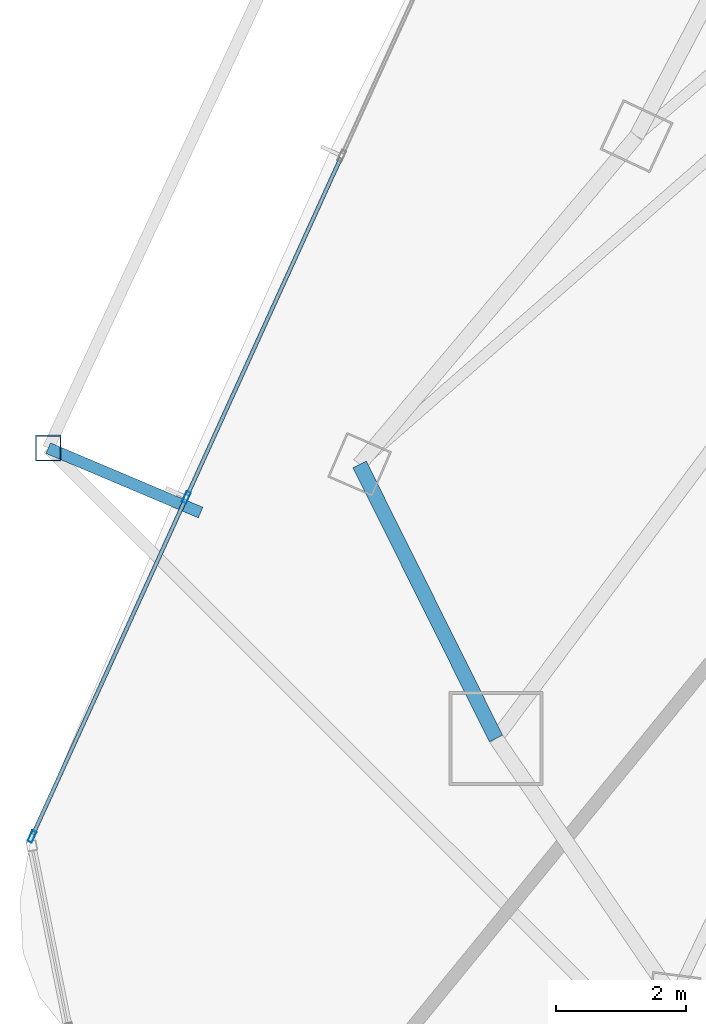
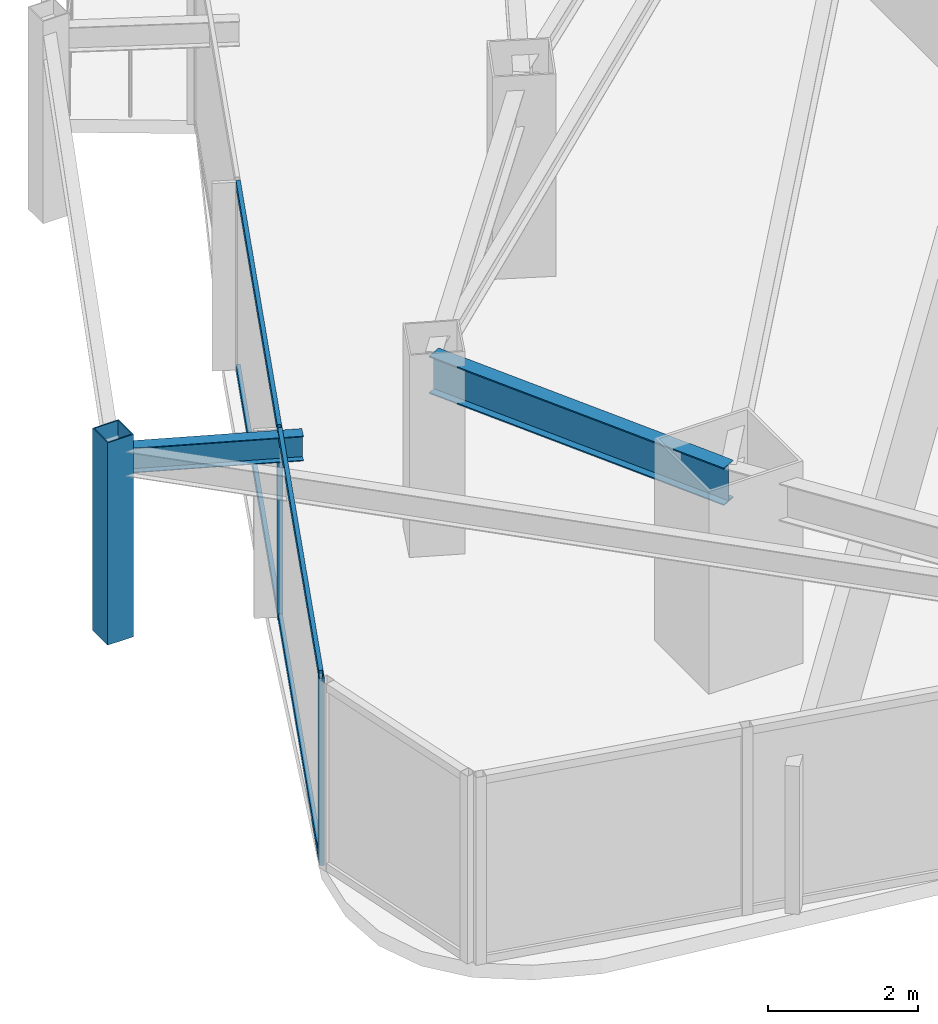
# One storey, part 5 of 33: 7 members, 2 beams, 1 element without a shape of its own.
"""IFC4 building model written with IfcOpenShell, lengths in metres."""

from ifc_helpers import new_model, si_unit, direction, frame, origin, origin_2d, place, context, subcontext, project, spatial, hollow_rectangle, i_section, extrude, material, layer, layer_set, material_profile, profile_set, type_object, element, aggregate, save


model = new_model("IFC4")

# Units and contexts
model_context = context("Model", 3, precision=1e-05, world=origin(), true_north=direction((0.0, 1.0)))
body_context = subcontext(model_context, "Body", "Model", "MODEL_VIEW")
ifc_project = project(units=[si_unit("LENGTHUNIT", "METRE"), si_unit("AREAUNIT", "SQUARE_METRE"), si_unit("VOLUMEUNIT", "CUBIC_METRE"), si_unit("PLANEANGLEUNIT", "RADIAN"), si_unit("MASSUNIT", "GRAM", prefix="KILO")], contexts=[model_context])

# Site, building, storey
site_placement = place(None, origin())
site = spatial("IfcSite", under=ifc_project, at=site_placement, CompositionType="ELEMENT")
building_placement = place(site_placement, origin())
building = spatial("IfcBuilding", under=site, at=building_placement, Name="Orvanel Arch Residences", CompositionType="ELEMENT")
storey_placement = place(building_placement, frame((0.0, 0.0, 116.60009765625)))
storey = spatial("IfcBuildingStorey", under=building, at=storey_placement, Name="L32", CompositionType="ELEMENT", Elevation=116.60009765625)

# Curtain wall, members
ifc_material_1 = material(Name="Bronze-anodised aluminium AA6063-T6", Category="aluminium")
ifc_layer = layer(ifc_material_1, 0.179931640625)
ifc_layer_set = layer_set([ifc_layer], Name="Bronze-anodised aluminium AA6063-T6")
curtain_wall_type = type_object("IfcCurtainWallType", Name="CW3-MID-SYS", PredefinedType="NOTDEFINED", material=ifc_layer_set)
curtain_wall_placement = place(storey_placement, origin())
curtain_wall = element("IfcCurtainWall", 1, at=curtain_wall_placement, inside=storey, type_object=curtain_wall_type, Name="L32 CW3-MID-SYS Unitised Curtain Wall", PredefinedType="NOTDEFINED")
ifc_material_profile_1 = material_profile(ifc_material_1, hollow_rectangle(XDim=0.070068359375, YDim=0.179931640625, WallThickness=0.00439453125, at=origin_2d()), Name="ALU180x70x4.5")
ifc_profile_set_1 = profile_set([ifc_material_profile_1], Name="Bronze-anodised aluminium AA6063-T6")
member_type_1 = type_object("IfcMemberType", Name="MUL-180x70", PredefinedType="MULLION", material=ifc_profile_set_1)
member_1_placement = place(storey_placement, frame((9.423583984375, 14.07275390625, 0.0), z_axis=(0.0, 0.0, 1.0), x_axis=(0.9102243469, -0.414115489097, 0.0)))
member_1 = element("IfcMember", 2, at=member_1_placement, type_object=member_type_1, Name="CW-S3 mullion 3", PredefinedType="MULLION", context=body_context, shape_type="SweptSolid", body=[
    extrude(hollow_rectangle(XDim=0.070068359375, YDim=0.179931640625, WallThickness=0.00439453125, at=origin_2d()), origin(), (0.0, 0.0, 1.0), 3.059814453125),
])
member_2_placement = place(storey_placement, frame((7.04248046875, 8.8388671875, 0.0), z_axis=(0.0, 0.0, 1.0), x_axis=(0.9102243469, -0.414115489097, 0.0)))
member_2 = element("IfcMember", 3, at=member_2_placement, type_object=member_type_1, Name="CW-S3 mullion 4", PredefinedType="MULLION", context=body_context, shape_type="SweptSolid", body=[
    extrude(hollow_rectangle(XDim=0.070068359375, YDim=0.179931640625, WallThickness=0.00439453125, at=origin_2d()), origin(), (0.0, 0.0, 1.0), 3.059814453125),
])

# Beams
ifc_material_2 = material(Name="Structural steel AS/NZS 3679.1 Grade 300 (300 MPa)", Category="steel")
ifc_material_profile_2 = material_profile(ifc_material_2, i_section(OverallWidth=0.177978515625, OverallDepth=0.406005859375, WebThickness=0.0078125, FlangeThickness=0.0126953125, at=origin_2d()), Name="410UB59.7")
ifc_profile_set_2 = profile_set([ifc_material_profile_2], Name="Structural steel AS/NZS 3679.1 Grade 300 (300 MPa)")
beam_type_1 = type_object("IfcBeamType", Name="OB-410UB-EXT", PredefinedType="SPANDREL", material=ifc_profile_set_2)
beam_1_placement = place(storey_placement, frame((9.64208984375, 13.8369140625, 2.85693359375), z_axis=(-0.921064988788, 0.389408893618, 0.0), x_axis=(-0.389408893618, -0.921064988788, 0.0)))
element("IfcBeam", 4, at=beam_1_placement, inside=storey, type_object=beam_type_1, Name="L32 Outer Frame Radial Tie Beam 04", PredefinedType="SPANDREL", context=body_context, shape_type="SweptSolid", body=[
    extrude(i_section(OverallWidth=0.177978515625, OverallDepth=0.406005859375, WebThickness=0.0078125, FlangeThickness=0.0126953125, at=origin_2d()), origin(), (0.0, 0.0, 1.0), 2.550537109375),
])
ifc_material_profile_3 = material_profile(ifc_material_2, i_section(OverallWidth=0.22900390625, OverallDepth=0.612060546875, WebThickness=0.011962890625, FlangeThickness=0.01953125, at=origin_2d()), Name="610UB125")
ifc_profile_set_3 = profile_set([ifc_material_profile_3], Name="Structural steel AS/NZS 3679.1 Grade 300 (300 MPa)")
beam_type_2 = type_object("IfcBeamType", Name="SP-610UB", PredefinedType="SPANDREL", material=ifc_profile_set_3)
beam_2_placement = place(storey_placement, frame((12.094970703125, 14.580078125, 2.75390625), z_axis=(0.44543469453, -0.895314432425, 0.0), x_axis=(0.895314432425, 0.44543469453, 0.0)))
element("IfcBeam", 5, at=beam_2_placement, inside=storey, type_object=beam_type_2, Name="L32 Perimeter Spandrel Beam 02", PredefinedType="SPANDREL", context=body_context, shape_type="SweptSolid", body=[
    extrude(i_section(OverallWidth=0.22900390625, OverallDepth=0.612060546875, WebThickness=0.011962890625, FlangeThickness=0.01953125, at=origin_2d()), origin(), (0.0, 0.0, 1.0), 4.723388671875),
])

# Member
ifc_material_3 = material(Name="Structural steel AS/NZS 1163 C450L0 (Grade 450)", Category="steel")
ifc_material_profile_4 = material_profile(ifc_material_3, hollow_rectangle(XDim=0.39990234375, YDim=0.39990234375, WallThickness=0.01611328125, at=origin_2d()), Name="SHS400x400x16")
ifc_profile_set_4 = profile_set([ifc_material_profile_4], Name="Structural steel AS/NZS 1163 C450L0 (Grade 450)")
member_type_2 = type_object("IfcMemberType", Name="ST-400SHS-EXT", PredefinedType="STRUT", material=ifc_profile_set_4)
member_3_placement = place(storey_placement, frame((7.29296875, 14.830078125, 0.0), z_axis=(0.0, 0.0, 1.0), x_axis=(1.0, 0.0, 0.0)))
element("IfcMember", 6, at=member_3_placement, inside=storey, type_object=member_type_2, Name="L32 Outer Perimeter Frame Post 04", PredefinedType="STRUT", context=body_context, shape_type="SweptSolid", body=[
    extrude(hollow_rectangle(XDim=0.39990234375, YDim=0.39990234375, WallThickness=0.01611328125, at=origin_2d()), origin(), (0.0, 0.0, 1.0), 3.2998046875),
])

ifc_material_profile_5 = material_profile(ifc_material_1, hollow_rectangle(XDim=0.06005859375, YDim=0.135009765625, WallThickness=0.00390625, at=origin_2d()), Name="ALU135x60x4")
ifc_profile_set_5 = profile_set([ifc_material_profile_5], Name="Bronze-anodised aluminium AA6063-T6")
member_type_3 = type_object("IfcMemberType", Name="TRN-135x60", PredefinedType="USERDEFINED", material=ifc_profile_set_5)
member_4_placement = place(storey_placement, frame((11.804931640625, 19.306396484375, 0.02978515625), z_axis=(-0.414121558628, -0.910221585483, 0.0), x_axis=(0.910221585483, -0.414121558628, 0.0)))
member_4 = element("IfcMember", 7, at=member_4_placement, type_object=member_type_3, Name="CW-S3 transom 2.1", ObjectType="TRANSOM", PredefinedType="USERDEFINED", context=body_context, shape_type="SweptSolid", body=[
    extrude(hollow_rectangle(XDim=0.06005859375, YDim=0.135009765625, WallThickness=0.00390625, at=origin_2d()), origin(), (0.0, 0.0, 1.0), 5.715087890625),
])

member_5_placement = place(storey_placement, frame((11.804931640625, 19.306396484375, 3.02978515625), z_axis=(-0.414121558628, -0.910221585483, 0.0), x_axis=(0.910221585483, -0.414121558628, 0.0)))
member_5 = element("IfcMember", 8, at=member_5_placement, type_object=member_type_3, Name="CW-S3 transom 2.2", ObjectType="TRANSOM", PredefinedType="USERDEFINED", context=body_context, shape_type="SweptSolid", body=[
    extrude(hollow_rectangle(XDim=0.06005859375, YDim=0.135009765625, WallThickness=0.00390625, at=origin_2d()), origin(), (0.0, 0.0, 1.0), 5.715087890625),
])

member_6_placement = place(storey_placement, frame((9.4091796875, 14.040771484375, 0.02978515625), z_axis=(-0.414126751339, -0.910219222949, 0.0), x_axis=(0.910219222949, -0.414126751339, 0.0)))
member_6 = element("IfcMember", 9, at=member_6_placement, type_object=member_type_3, Name="CW-S3 transom 3.1", ObjectType="TRANSOM", PredefinedType="USERDEFINED", context=body_context, shape_type="SweptSolid", body=[
    extrude(hollow_rectangle(XDim=0.06005859375, YDim=0.135009765625, WallThickness=0.00390625, at=origin_2d()), origin(), (0.0, 0.0, 1.0), 5.68017578125),
])

member_7_placement = place(storey_placement, frame((9.4091796875, 14.040771484375, 3.02978515625), z_axis=(-0.414126751339, -0.910219222949, 0.0), x_axis=(0.910219222949, -0.414126751339, 0.0)))
member_7 = element("IfcMember", 10, at=member_7_placement, type_object=member_type_3, Name="CW-S3 transom 3.2", ObjectType="TRANSOM", PredefinedType="USERDEFINED", context=body_context, shape_type="SweptSolid", body=[
    extrude(hollow_rectangle(XDim=0.06005859375, YDim=0.135009765625, WallThickness=0.00390625, at=origin_2d()), origin(), (0.0, 0.0, 1.0), 5.68017578125),
])

aggregate(curtain_wall, [member_1, member_2, member_4, member_5, member_6, member_7])

save(model, "model.ifc")
